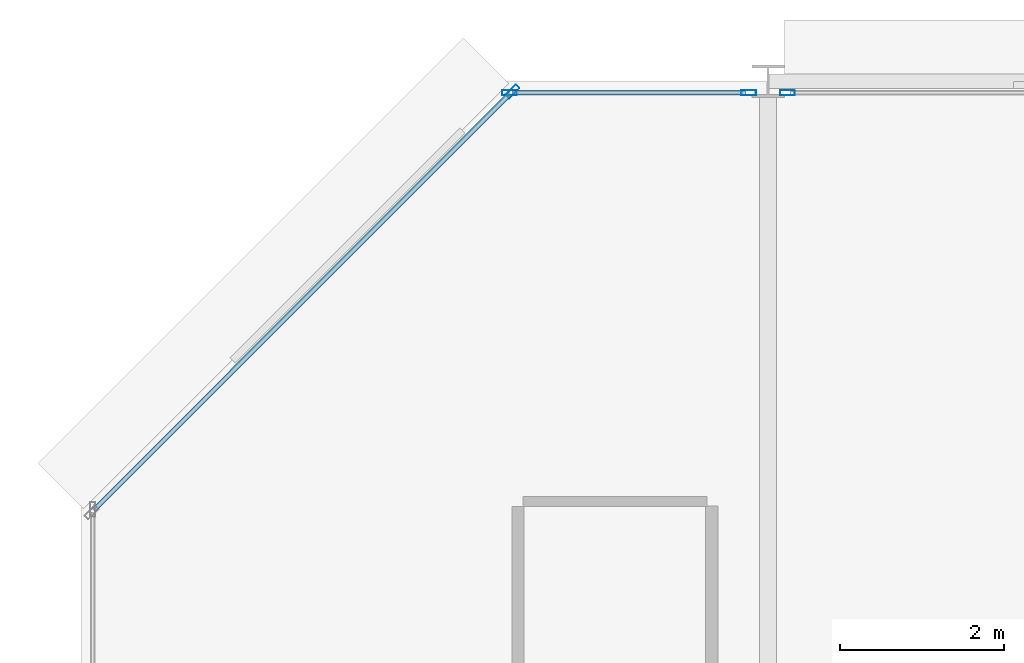
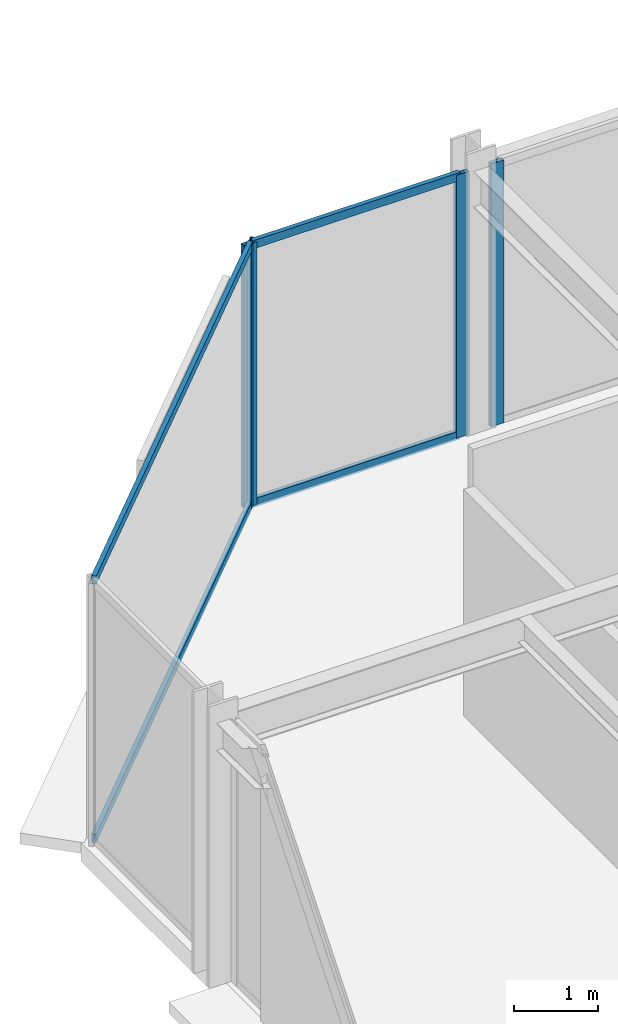
# One storey, part 29 of 39: 8 members, 3 elements without a shape of their own.
"""IFC4 building model written with IfcOpenShell, lengths in metres."""

from ifc_helpers import new_model, si_unit, direction, frame, origin, origin_2d, place, context, subcontext, project, spatial, hollow_rectangle, extrude, material, layer, layer_set, material_profile, profile_set, type_object, element, aggregate, save


model = new_model("IFC4")

# Units and contexts
model_context = context("Model", 3, precision=1e-05, world=origin(), true_north=direction((0.0, 1.0)))
body_context = subcontext(model_context, "Body", "Model", "MODEL_VIEW")
ifc_project = project(units=[si_unit("LENGTHUNIT", "METRE"), si_unit("AREAUNIT", "SQUARE_METRE"), si_unit("VOLUMEUNIT", "CUBIC_METRE"), si_unit("PLANEANGLEUNIT", "RADIAN"), si_unit("MASSUNIT", "GRAM", prefix="KILO")], contexts=[model_context])

# Site, building, storey
site_placement = place(None, origin())
site = spatial("IfcSite", under=ifc_project, at=site_placement, CompositionType="ELEMENT")
building_placement = place(site_placement, origin())
building = spatial("IfcBuilding", under=site, at=building_placement, Name="Nerrivon Quay Data Exchange", CompositionType="ELEMENT")
storey_placement = place(building_placement, frame((0.0, 0.0, 92.60009765625)))
storey = spatial("IfcBuildingStorey", under=building, at=storey_placement, Name="L21", CompositionType="ELEMENT", Elevation=92.60009765625)

# Curtain wall, member
ifc_material = material(Name="Anodised aluminium 6063-T6", Category="aluminium")
ifc_layer = layer(ifc_material, 0.2099609375)
ifc_layer_set = layer_set([ifc_layer], Name="Anodised aluminium 6063-T6")
curtain_wall_type = type_object("IfcCurtainWallType", Name="CW-SYS-02", PredefinedType="NOTDEFINED", material=ifc_layer_set)
curtain_wall_1_placement = place(storey_placement, origin())
curtain_wall_1 = element("IfcCurtainWall", 1, at=curtain_wall_1_placement, inside=storey, type_object=curtain_wall_type, Name="L21 Unitised Curtain Wall 23", PredefinedType="NOTDEFINED")
ifc_material_profile_1 = material_profile(ifc_material, hollow_rectangle(XDim=0.06494140625, YDim=0.179931640625, WallThickness=0.00341796875, at=origin_2d()), Name="ALU-MULL-180x65")
ifc_profile_set_1 = profile_set([ifc_material_profile_1], Name="Anodised aluminium 6063-T6")
member_type_1 = type_object("IfcMemberType", Name="CWM-180x65", PredefinedType="MULLION", material=ifc_profile_set_1)
member_1_placement = place(storey_placement, frame((5.2724609375, 50.2744140625, 0.0), z_axis=(0.0, 0.0, 1.0), x_axis=(-0.707106781187, 0.707106781187, 0.0)))
member_1 = element("IfcMember", 2, at=member_1_placement, type_object=member_type_1, Name="CW02 mullion 2", PredefinedType="MULLION", context=body_context, shape_type="SweptSolid", body=[
    extrude(hollow_rectangle(XDim=0.06494140625, YDim=0.179931640625, WallThickness=0.00341796875, at=origin_2d()), origin(), (0.0, 0.0, 1.0), 3.824951171875),
])

# Curtain wall, members
curtain_wall_2_placement = place(storey_placement, origin())
curtain_wall_2 = element("IfcCurtainWall", 3, at=curtain_wall_2_placement, inside=storey, type_object=curtain_wall_type, Name="L21 Unitised Curtain Wall 24", PredefinedType="NOTDEFINED")
member_2_placement = place(storey_placement, frame((5.237548828125, 50.260009765625, 0.0), z_axis=(0.0, 0.0, 1.0), x_axis=(0.0, 1.0, 0.0)))
member_2 = element("IfcMember", 4, at=member_2_placement, type_object=member_type_1, Name="CW02 mullion 1", PredefinedType="MULLION", context=body_context, shape_type="SweptSolid", body=[
    extrude(hollow_rectangle(XDim=0.06494140625, YDim=0.179931640625, WallThickness=0.00341796875, at=origin_2d()), origin(), (0.0, 0.0, 1.0), 3.824951171875),
])
member_3_placement = place(storey_placement, frame((8.16259765625, 50.260009765625, 0.0), z_axis=(0.0, 0.0, 1.0), x_axis=(0.0, 1.0, 0.0)))
member_3 = element("IfcMember", 5, at=member_3_placement, type_object=member_type_1, Name="CW02 mullion 2", PredefinedType="MULLION", context=body_context, shape_type="SweptSolid", body=[
    extrude(hollow_rectangle(XDim=0.06494140625, YDim=0.179931640625, WallThickness=0.00341796875, at=origin_2d()), origin(), (0.0, 0.0, 1.0), 3.824951171875),
])

# Curtain wall, member
curtain_wall_3_placement = place(storey_placement, origin())
curtain_wall_3 = element("IfcCurtainWall", 6, at=curtain_wall_3_placement, inside=storey, type_object=curtain_wall_type, Name="L21 Unitised Curtain Wall 25", PredefinedType="NOTDEFINED")
member_4_placement = place(storey_placement, frame((8.637451171875, 50.260009765625, 0.0), z_axis=(0.0, 0.0, 1.0), x_axis=(0.0, 1.0, 0.0)))
member_4 = element("IfcMember", 7, at=member_4_placement, type_object=member_type_1, Name="CW02 mullion 1", PredefinedType="MULLION", context=body_context, shape_type="SweptSolid", body=[
    extrude(hollow_rectangle(XDim=0.06494140625, YDim=0.179931640625, WallThickness=0.00341796875, at=origin_2d()), origin(), (0.0, 0.0, 1.0), 3.824951171875),
])
aggregate(curtain_wall_3, [member_4])

# Member
ifc_material_profile_2 = material_profile(ifc_material, hollow_rectangle(XDim=0.06005859375, YDim=0.1201171875, WallThickness=0.003173828125, at=origin_2d()), Name="ALU-TRAN-120x60")
ifc_profile_set_2 = profile_set([ifc_material_profile_2], Name="Anodised aluminium 6063-T6")
member_type_2 = type_object("IfcMemberType", Name="CWT-120x60", PredefinedType="USERDEFINED", material=ifc_profile_set_2)
member_5_placement = place(storey_placement, frame((0.152099609375, 45.154052734375, 0.032470703125), z_axis=(0.707089835771, 0.707123726196, 0.0), x_axis=(-0.707123726196, 0.707089835771, 0.0)))
member_5 = element("IfcMember", 8, at=member_5_placement, type_object=member_type_2, Name="CW02 transom 1.1", ObjectType="TRANSOM", PredefinedType="USERDEFINED", context=body_context, shape_type="SweptSolid", body=[
    extrude(hollow_rectangle(XDim=0.06005859375, YDim=0.1201171875, WallThickness=0.003173828125, at=origin_2d()), origin(), (0.0, 0.0, 1.0), 7.203857421875),
])

member_6_placement = place(storey_placement, frame((0.152099609375, 45.154052734375, 3.79248046875), z_axis=(0.707089835771, 0.707123726196, 0.0), x_axis=(-0.707123726196, 0.707089835771, 0.0)))
member_6 = element("IfcMember", 9, at=member_6_placement, type_object=member_type_2, Name="CW02 transom 1.2", ObjectType="TRANSOM", PredefinedType="USERDEFINED", context=body_context, shape_type="SweptSolid", body=[
    extrude(hollow_rectangle(XDim=0.06005859375, YDim=0.1201171875, WallThickness=0.003173828125, at=origin_2d()), origin(), (0.0, 0.0, 1.0), 7.203857421875),
])

aggregate(curtain_wall_1, [member_1, member_5, member_6])

member_7_placement = place(storey_placement, frame((5.27490234375, 50.260009765625, 0.032470703125), z_axis=(1.0, 0.0, 0.0), x_axis=(0.0, 1.0, 0.0)))
member_7 = element("IfcMember", 10, at=member_7_placement, type_object=member_type_2, Name="CW02 transom 1.1", ObjectType="TRANSOM", PredefinedType="USERDEFINED", context=body_context, shape_type="SweptSolid", body=[
    extrude(hollow_rectangle(XDim=0.06005859375, YDim=0.1201171875, WallThickness=0.003173828125, at=origin_2d()), origin(), (0.0, 0.0, 1.0), 2.85009765625),
])

member_8_placement = place(storey_placement, frame((5.27490234375, 50.260009765625, 3.79248046875), z_axis=(1.0, 0.0, 0.0), x_axis=(0.0, 1.0, 0.0)))
member_8 = element("IfcMember", 11, at=member_8_placement, type_object=member_type_2, Name="CW02 transom 1.2", ObjectType="TRANSOM", PredefinedType="USERDEFINED", context=body_context, shape_type="SweptSolid", body=[
    extrude(hollow_rectangle(XDim=0.06005859375, YDim=0.1201171875, WallThickness=0.003173828125, at=origin_2d()), origin(), (0.0, 0.0, 1.0), 2.85009765625),
])

aggregate(curtain_wall_2, [member_2, member_3, member_7, member_8])

save(model, "model.ifc")
